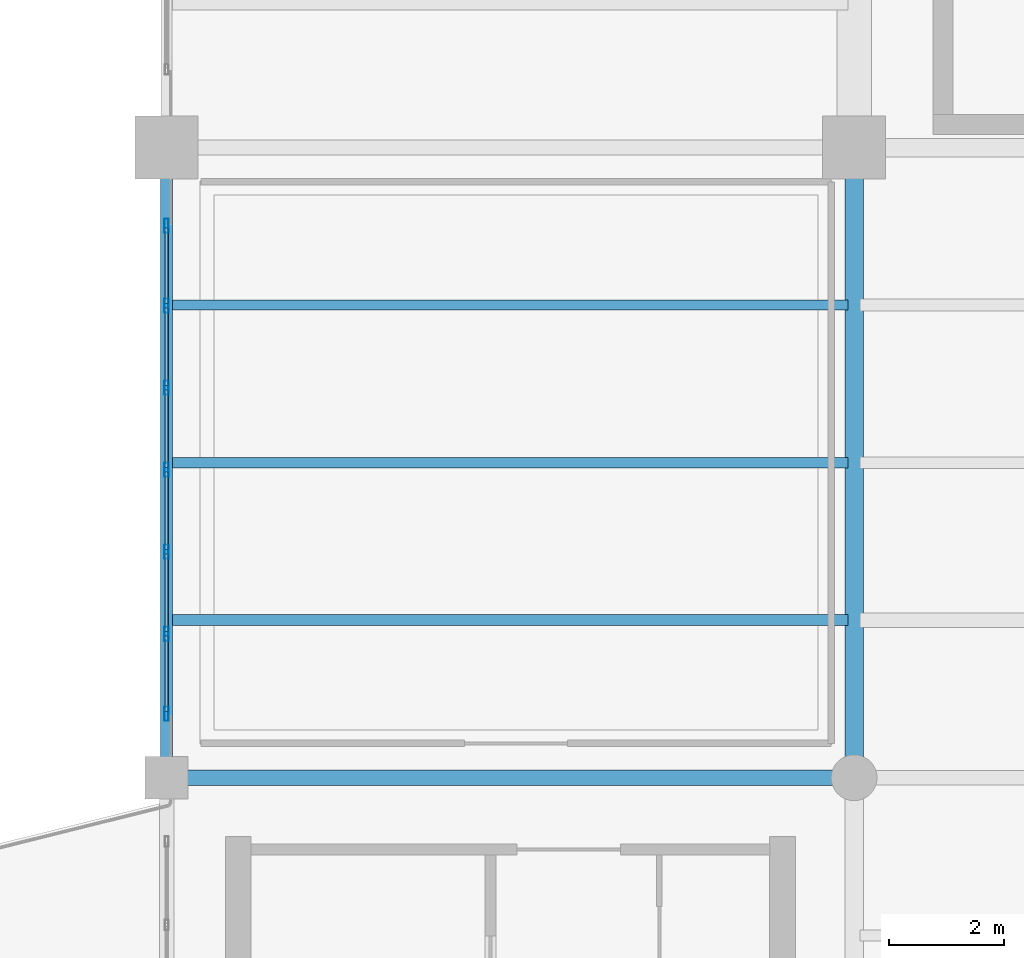
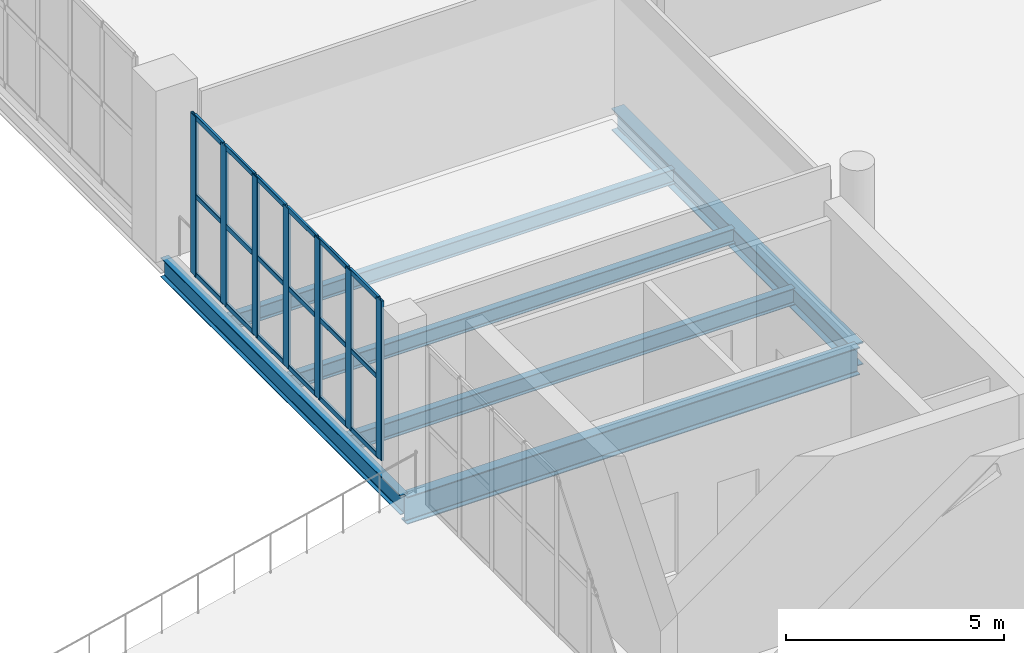
# One storey, part 49 of 136: 25 members, 6 beams, 1 element without a shape of its own.
"""IFC4 building model written with IfcOpenShell, lengths in metres."""

from ifc_helpers import new_model, si_unit, direction, frame, origin, origin_2d, place, context, subcontext, project, spatial, hollow_rectangle, i_section, extrude, material, layer, layer_set, material_profile, profile_set, type_object, element, aggregate, save


model = new_model("IFC4")

# Units and contexts
model_context = context("Model", 3, precision=1e-05, world=origin(), true_north=direction((0.0, 1.0)))
body_context = subcontext(model_context, "Body", "Model", "MODEL_VIEW")
ifc_project = project(units=[si_unit("LENGTHUNIT", "METRE"), si_unit("AREAUNIT", "SQUARE_METRE"), si_unit("VOLUMEUNIT", "CUBIC_METRE"), si_unit("PLANEANGLEUNIT", "RADIAN"), si_unit("MASSUNIT", "GRAM", prefix="KILO")], contexts=[model_context])

# Site, building, storey
site_placement = place(None, origin())
site = spatial("IfcSite", under=ifc_project, at=site_placement, CompositionType="ELEMENT")
building_placement = place(site_placement, origin())
building = spatial("IfcBuilding", under=site, at=building_placement, Name="Brinegate Civic Arena", CompositionType="ELEMENT")
storey_placement = place(building_placement, frame((0.0, 0.0, 5.39990234375)))
storey = spatial("IfcBuildingStorey", under=building, at=storey_placement, Name="L01", CompositionType="ELEMENT", Elevation=5.39990234375)

# Curtain wall, members
ifc_material_1 = material(Name="Marine grade aluminium", Category="aluminium")
ifc_layer = layer(ifc_material_1, 0.199951171875, Name="Marine grade aluminium")
ifc_layer_set = layer_set([ifc_layer], Name="Marine grade aluminium")
curtain_wall_type = type_object("IfcCurtainWallType", Name="CW-BOWL-GLAZED-01", PredefinedType="USERDEFINED", material=ifc_layer_set)
curtain_wall_placement = place(storey_placement, origin())
curtain_wall = element("IfcCurtainWall", 1, at=curtain_wall_placement, inside=storey, type_object=curtain_wall_type, Name="Curtain Wall CWA-060", ObjectType="GLAZED CURTAIN WALL", PredefinedType="USERDEFINED")
ifc_material_profile_1 = material_profile(ifc_material_1, hollow_rectangle(XDim=0.074951171875, YDim=0.25, WallThickness=0.006103515625, InnerFilletRadius=0.00390625, OuterFilletRadius=0.008056640625, at=origin_2d()), Name="MUL75X250")
ifc_profile_set_1 = profile_set([ifc_material_profile_1], Name="Marine grade aluminium")
member_type_1 = type_object("IfcMemberType", Name="CW-MULLION-75X250", PredefinedType="MULLION", material=ifc_profile_set_1)
member_1_placement = place(storey_placement, frame((48.0, 94.117431640625, 0.0), z_axis=(0.0, 0.0, 1.0), x_axis=(-1.0, 0.0, 0.0)))
member_1 = element("IfcMember", 2, at=member_1_placement, type_object=member_type_1, Name="CWA-060 mullion 1", PredefinedType="MULLION", context=body_context, shape_type="SweptSolid", body=[
    extrude(hollow_rectangle(XDim=0.074951171875, YDim=0.25, WallThickness=0.006103515625, InnerFilletRadius=0.00390625, OuterFilletRadius=0.008056640625, at=origin_2d()), origin(), (0.0, 0.0, 1.0), 4.47021484375),
])
member_2_placement = place(storey_placement, frame((48.0, 95.511962890625, 0.0), z_axis=(0.0, 0.0, 1.0), x_axis=(-1.0, 0.0, 0.0)))
member_2 = element("IfcMember", 3, at=member_2_placement, type_object=member_type_1, Name="CWA-060 mullion 2", PredefinedType="MULLION", context=body_context, shape_type="SweptSolid", body=[
    extrude(hollow_rectangle(XDim=0.074951171875, YDim=0.25, WallThickness=0.006103515625, InnerFilletRadius=0.00390625, OuterFilletRadius=0.008056640625, at=origin_2d()), origin(), (0.0, 0.0, 1.0), 4.47021484375),
])
member_3_placement = place(storey_placement, frame((48.0, 96.944091796875, 0.0), z_axis=(0.0, 0.0, 1.0), x_axis=(-1.0, 0.0, 0.0)))
member_3 = element("IfcMember", 4, at=member_3_placement, type_object=member_type_1, Name="CWA-060 mullion 3", PredefinedType="MULLION", context=body_context, shape_type="SweptSolid", body=[
    extrude(hollow_rectangle(XDim=0.074951171875, YDim=0.25, WallThickness=0.006103515625, InnerFilletRadius=0.00390625, OuterFilletRadius=0.008056640625, at=origin_2d()), origin(), (0.0, 0.0, 1.0), 4.47021484375),
])
member_4_placement = place(storey_placement, frame((48.0, 98.3759765625, 0.0), z_axis=(0.0, 0.0, 1.0), x_axis=(-1.0, 0.0, 0.0)))
member_4 = element("IfcMember", 5, at=member_4_placement, type_object=member_type_1, Name="CWA-060 mullion 4", PredefinedType="MULLION", context=body_context, shape_type="SweptSolid", body=[
    extrude(hollow_rectangle(XDim=0.074951171875, YDim=0.25, WallThickness=0.006103515625, InnerFilletRadius=0.00390625, OuterFilletRadius=0.008056640625, at=origin_2d()), origin(), (0.0, 0.0, 1.0), 4.47021484375),
])
member_5_placement = place(storey_placement, frame((48.0, 99.80810546875, 0.0), z_axis=(0.0, 0.0, 1.0), x_axis=(-1.0, 0.0, 0.0)))
member_5 = element("IfcMember", 6, at=member_5_placement, type_object=member_type_1, Name="CWA-060 mullion 5", PredefinedType="MULLION", context=body_context, shape_type="SweptSolid", body=[
    extrude(hollow_rectangle(XDim=0.074951171875, YDim=0.25, WallThickness=0.006103515625, InnerFilletRadius=0.00390625, OuterFilletRadius=0.008056640625, at=origin_2d()), origin(), (0.0, 0.0, 1.0), 4.47021484375),
])
member_6_placement = place(storey_placement, frame((48.0, 101.239990234375, 0.0), z_axis=(0.0, 0.0, 1.0), x_axis=(-1.0, 0.0, 0.0)))
member_6 = element("IfcMember", 7, at=member_6_placement, type_object=member_type_1, Name="CWA-060 mullion 6", PredefinedType="MULLION", context=body_context, shape_type="SweptSolid", body=[
    extrude(hollow_rectangle(XDim=0.074951171875, YDim=0.25, WallThickness=0.006103515625, InnerFilletRadius=0.00390625, OuterFilletRadius=0.008056640625, at=origin_2d()), origin(), (0.0, 0.0, 1.0), 4.47021484375),
])
member_7_placement = place(storey_placement, frame((48.0, 102.634521484375, 0.0), z_axis=(0.0, 0.0, 1.0), x_axis=(-1.0, 0.0, 0.0)))
member_7 = element("IfcMember", 8, at=member_7_placement, type_object=member_type_1, Name="CWA-060 mullion 7", PredefinedType="MULLION", context=body_context, shape_type="SweptSolid", body=[
    extrude(hollow_rectangle(XDim=0.074951171875, YDim=0.25, WallThickness=0.006103515625, InnerFilletRadius=0.00390625, OuterFilletRadius=0.008056640625, at=origin_2d()), origin(), (0.0, 0.0, 1.0), 4.47021484375),
])
ifc_material_profile_2 = material_profile(ifc_material_1, hollow_rectangle(XDim=0.06494140625, YDim=0.139892578125, WallThickness=0.0048828125, InnerFilletRadius=0.00390625, OuterFilletRadius=0.008056640625, at=origin_2d()), Name="TRN65X140")
ifc_profile_set_2 = profile_set([ifc_material_profile_2], Name="Marine grade aluminium")
member_type_2 = type_object("IfcMemberType", Name="CW-TRANSOM-65X140", PredefinedType="USERDEFINED", material=ifc_profile_set_2)
member_8_placement = place(storey_placement, frame((48.0, 94.155029296875, 0.03271484375), z_axis=(0.0, 1.0, 0.0), x_axis=(-1.0, 0.0, 0.0)))
member_8 = element("IfcMember", 9, at=member_8_placement, type_object=member_type_2, Name="CWA-060 transom 1.1", ObjectType="TRANSOM", PredefinedType="USERDEFINED", context=body_context, shape_type="SweptSolid", body=[
    extrude(hollow_rectangle(XDim=0.06494140625, YDim=0.139892578125, WallThickness=0.0048828125, InnerFilletRadius=0.00390625, OuterFilletRadius=0.008056640625, at=origin_2d()), origin(), (0.0, 0.0, 1.0), 1.319580078125),
])
member_9_placement = place(storey_placement, frame((48.0, 94.155029296875, 2.235107421875), z_axis=(0.0, 1.0, 0.0), x_axis=(-1.0, 0.0, 0.0)))
member_9 = element("IfcMember", 10, at=member_9_placement, type_object=member_type_2, Name="CWA-060 transom 1.2", ObjectType="TRANSOM", PredefinedType="USERDEFINED", context=body_context, shape_type="SweptSolid", body=[
    extrude(hollow_rectangle(XDim=0.06494140625, YDim=0.139892578125, WallThickness=0.0048828125, InnerFilletRadius=0.00390625, OuterFilletRadius=0.008056640625, at=origin_2d()), origin(), (0.0, 0.0, 1.0), 1.319580078125),
])
member_10_placement = place(storey_placement, frame((48.0, 94.155029296875, 4.4375), z_axis=(0.0, 1.0, 0.0), x_axis=(-1.0, 0.0, 0.0)))
member_10 = element("IfcMember", 11, at=member_10_placement, type_object=member_type_2, Name="CWA-060 transom 1.3", ObjectType="TRANSOM", PredefinedType="USERDEFINED", context=body_context, shape_type="SweptSolid", body=[
    extrude(hollow_rectangle(XDim=0.06494140625, YDim=0.139892578125, WallThickness=0.0048828125, InnerFilletRadius=0.00390625, OuterFilletRadius=0.008056640625, at=origin_2d()), origin(), (0.0, 0.0, 1.0), 1.319580078125),
])
member_11_placement = place(storey_placement, frame((48.0, 95.549560546875, 0.03271484375), z_axis=(0.0, 1.0, 0.0), x_axis=(-1.0, 0.0, 0.0)))
member_11 = element("IfcMember", 12, at=member_11_placement, type_object=member_type_2, Name="CWA-060 transom 2.1", ObjectType="TRANSOM", PredefinedType="USERDEFINED", context=body_context, shape_type="SweptSolid", body=[
    extrude(hollow_rectangle(XDim=0.06494140625, YDim=0.139892578125, WallThickness=0.0048828125, InnerFilletRadius=0.00390625, OuterFilletRadius=0.008056640625, at=origin_2d()), origin(), (0.0, 0.0, 1.0), 1.35693359375),
])
member_12_placement = place(storey_placement, frame((48.0, 95.549560546875, 2.235107421875), z_axis=(0.0, 1.0, 0.0), x_axis=(-1.0, 0.0, 0.0)))
member_12 = element("IfcMember", 13, at=member_12_placement, type_object=member_type_2, Name="CWA-060 transom 2.2", ObjectType="TRANSOM", PredefinedType="USERDEFINED", context=body_context, shape_type="SweptSolid", body=[
    extrude(hollow_rectangle(XDim=0.06494140625, YDim=0.139892578125, WallThickness=0.0048828125, InnerFilletRadius=0.00390625, OuterFilletRadius=0.008056640625, at=origin_2d()), origin(), (0.0, 0.0, 1.0), 1.35693359375),
])
member_13_placement = place(storey_placement, frame((48.0, 95.549560546875, 4.4375), z_axis=(0.0, 1.0, 0.0), x_axis=(-1.0, 0.0, 0.0)))
member_13 = element("IfcMember", 14, at=member_13_placement, type_object=member_type_2, Name="CWA-060 transom 2.3", ObjectType="TRANSOM", PredefinedType="USERDEFINED", context=body_context, shape_type="SweptSolid", body=[
    extrude(hollow_rectangle(XDim=0.06494140625, YDim=0.139892578125, WallThickness=0.0048828125, InnerFilletRadius=0.00390625, OuterFilletRadius=0.008056640625, at=origin_2d()), origin(), (0.0, 0.0, 1.0), 1.35693359375),
])
member_14_placement = place(storey_placement, frame((48.0, 96.9814453125, 0.03271484375), z_axis=(0.0, 1.0, 0.0), x_axis=(-1.0, 0.0, 0.0)))
member_14 = element("IfcMember", 15, at=member_14_placement, type_object=member_type_2, Name="CWA-060 transom 3.1", ObjectType="TRANSOM", PredefinedType="USERDEFINED", context=body_context, shape_type="SweptSolid", body=[
    extrude(hollow_rectangle(XDim=0.06494140625, YDim=0.139892578125, WallThickness=0.0048828125, InnerFilletRadius=0.00390625, OuterFilletRadius=0.008056640625, at=origin_2d()), origin(), (0.0, 0.0, 1.0), 1.35693359375),
])
member_15_placement = place(storey_placement, frame((48.0, 96.9814453125, 2.235107421875), z_axis=(0.0, 1.0, 0.0), x_axis=(-1.0, 0.0, 0.0)))
member_15 = element("IfcMember", 16, at=member_15_placement, type_object=member_type_2, Name="CWA-060 transom 3.2", ObjectType="TRANSOM", PredefinedType="USERDEFINED", context=body_context, shape_type="SweptSolid", body=[
    extrude(hollow_rectangle(XDim=0.06494140625, YDim=0.139892578125, WallThickness=0.0048828125, InnerFilletRadius=0.00390625, OuterFilletRadius=0.008056640625, at=origin_2d()), origin(), (0.0, 0.0, 1.0), 1.35693359375),
])
member_16_placement = place(storey_placement, frame((48.0, 96.9814453125, 4.4375), z_axis=(0.0, 1.0, 0.0), x_axis=(-1.0, 0.0, 0.0)))
member_16 = element("IfcMember", 17, at=member_16_placement, type_object=member_type_2, Name="CWA-060 transom 3.3", ObjectType="TRANSOM", PredefinedType="USERDEFINED", context=body_context, shape_type="SweptSolid", body=[
    extrude(hollow_rectangle(XDim=0.06494140625, YDim=0.139892578125, WallThickness=0.0048828125, InnerFilletRadius=0.00390625, OuterFilletRadius=0.008056640625, at=origin_2d()), origin(), (0.0, 0.0, 1.0), 1.35693359375),
])
member_17_placement = place(storey_placement, frame((48.0, 98.41357421875, 0.03271484375), z_axis=(0.0, 1.0, 0.0), x_axis=(-1.0, 0.0, 0.0)))
member_17 = element("IfcMember", 18, at=member_17_placement, type_object=member_type_2, Name="CWA-060 transom 4.1", ObjectType="TRANSOM", PredefinedType="USERDEFINED", context=body_context, shape_type="SweptSolid", body=[
    extrude(hollow_rectangle(XDim=0.06494140625, YDim=0.139892578125, WallThickness=0.0048828125, InnerFilletRadius=0.00390625, OuterFilletRadius=0.008056640625, at=origin_2d()), origin(), (0.0, 0.0, 1.0), 1.35693359375),
])
member_18_placement = place(storey_placement, frame((48.0, 98.41357421875, 2.235107421875), z_axis=(0.0, 1.0, 0.0), x_axis=(-1.0, 0.0, 0.0)))
member_18 = element("IfcMember", 19, at=member_18_placement, type_object=member_type_2, Name="CWA-060 transom 4.2", ObjectType="TRANSOM", PredefinedType="USERDEFINED", context=body_context, shape_type="SweptSolid", body=[
    extrude(hollow_rectangle(XDim=0.06494140625, YDim=0.139892578125, WallThickness=0.0048828125, InnerFilletRadius=0.00390625, OuterFilletRadius=0.008056640625, at=origin_2d()), origin(), (0.0, 0.0, 1.0), 1.35693359375),
])
member_19_placement = place(storey_placement, frame((48.0, 98.41357421875, 4.4375), z_axis=(0.0, 1.0, 0.0), x_axis=(-1.0, 0.0, 0.0)))
member_19 = element("IfcMember", 20, at=member_19_placement, type_object=member_type_2, Name="CWA-060 transom 4.3", ObjectType="TRANSOM", PredefinedType="USERDEFINED", context=body_context, shape_type="SweptSolid", body=[
    extrude(hollow_rectangle(XDim=0.06494140625, YDim=0.139892578125, WallThickness=0.0048828125, InnerFilletRadius=0.00390625, OuterFilletRadius=0.008056640625, at=origin_2d()), origin(), (0.0, 0.0, 1.0), 1.35693359375),
])
member_20_placement = place(storey_placement, frame((48.0, 99.845458984375, 0.03271484375), z_axis=(0.0, 1.0, 0.0), x_axis=(-1.0, 0.0, 0.0)))
member_20 = element("IfcMember", 21, at=member_20_placement, type_object=member_type_2, Name="CWA-060 transom 5.1", ObjectType="TRANSOM", PredefinedType="USERDEFINED", context=body_context, shape_type="SweptSolid", body=[
    extrude(hollow_rectangle(XDim=0.06494140625, YDim=0.139892578125, WallThickness=0.0048828125, InnerFilletRadius=0.00390625, OuterFilletRadius=0.008056640625, at=origin_2d()), origin(), (0.0, 0.0, 1.0), 1.35693359375),
])
member_21_placement = place(storey_placement, frame((48.0, 99.845458984375, 2.235107421875), z_axis=(0.0, 1.0, 0.0), x_axis=(-1.0, 0.0, 0.0)))
member_21 = element("IfcMember", 22, at=member_21_placement, type_object=member_type_2, Name="CWA-060 transom 5.2", ObjectType="TRANSOM", PredefinedType="USERDEFINED", context=body_context, shape_type="SweptSolid", body=[
    extrude(hollow_rectangle(XDim=0.06494140625, YDim=0.139892578125, WallThickness=0.0048828125, InnerFilletRadius=0.00390625, OuterFilletRadius=0.008056640625, at=origin_2d()), origin(), (0.0, 0.0, 1.0), 1.35693359375),
])
member_22_placement = place(storey_placement, frame((48.0, 99.845458984375, 4.4375), z_axis=(0.0, 1.0, 0.0), x_axis=(-1.0, 0.0, 0.0)))
member_22 = element("IfcMember", 23, at=member_22_placement, type_object=member_type_2, Name="CWA-060 transom 5.3", ObjectType="TRANSOM", PredefinedType="USERDEFINED", context=body_context, shape_type="SweptSolid", body=[
    extrude(hollow_rectangle(XDim=0.06494140625, YDim=0.139892578125, WallThickness=0.0048828125, InnerFilletRadius=0.00390625, OuterFilletRadius=0.008056640625, at=origin_2d()), origin(), (0.0, 0.0, 1.0), 1.35693359375),
])
member_23_placement = place(storey_placement, frame((48.0, 101.277587890625, 0.03271484375), z_axis=(0.0, 1.0, 0.0), x_axis=(-1.0, 0.0, 0.0)))
member_23 = element("IfcMember", 24, at=member_23_placement, type_object=member_type_2, Name="CWA-060 transom 6.1", ObjectType="TRANSOM", PredefinedType="USERDEFINED", context=body_context, shape_type="SweptSolid", body=[
    extrude(hollow_rectangle(XDim=0.06494140625, YDim=0.139892578125, WallThickness=0.0048828125, InnerFilletRadius=0.00390625, OuterFilletRadius=0.008056640625, at=origin_2d()), origin(), (0.0, 0.0, 1.0), 1.3193359375),
])
member_24_placement = place(storey_placement, frame((48.0, 101.277587890625, 2.235107421875), z_axis=(0.0, 1.0, 0.0), x_axis=(-1.0, 0.0, 0.0)))
member_24 = element("IfcMember", 25, at=member_24_placement, type_object=member_type_2, Name="CWA-060 transom 6.2", ObjectType="TRANSOM", PredefinedType="USERDEFINED", context=body_context, shape_type="SweptSolid", body=[
    extrude(hollow_rectangle(XDim=0.06494140625, YDim=0.139892578125, WallThickness=0.0048828125, InnerFilletRadius=0.00390625, OuterFilletRadius=0.008056640625, at=origin_2d()), origin(), (0.0, 0.0, 1.0), 1.3193359375),
])
member_25_placement = place(storey_placement, frame((48.0, 101.277587890625, 4.4375), z_axis=(0.0, 1.0, 0.0), x_axis=(-1.0, 0.0, 0.0)))
member_25 = element("IfcMember", 26, at=member_25_placement, type_object=member_type_2, Name="CWA-060 transom 6.3", ObjectType="TRANSOM", PredefinedType="USERDEFINED", context=body_context, shape_type="SweptSolid", body=[
    extrude(hollow_rectangle(XDim=0.06494140625, YDim=0.139892578125, WallThickness=0.0048828125, InnerFilletRadius=0.00390625, OuterFilletRadius=0.008056640625, at=origin_2d()), origin(), (0.0, 0.0, 1.0), 1.3193359375),
])
aggregate(curtain_wall, [member_1, member_2, member_3, member_4, member_5, member_6, member_7, member_8, member_9, member_10, member_11, member_12, member_13, member_14, member_15, member_16, member_17, member_18, member_19, member_20, member_21, member_22, member_23, member_24, member_25])

# Beams
ifc_material_2 = material(Name="Steel S355", Category="steel")
ifc_material_profile_3 = material_profile(ifc_material_2, i_section(OverallWidth=0.324951171875, OverallDepth=0.615966796875, WebThickness=0.013916015625, FlangeThickness=0.02197265625, FilletRadius=0.01611328125, at=origin_2d()), Name="W610X174")
ifc_profile_set_3 = profile_set([ifc_material_profile_3], Name="Steel S355")
beam_type_1 = type_object("IfcBeamType", Name="GIRDER-W610X174", PredefinedType="BEAM", material=ifc_profile_set_3)
beam_1_placement = place(storey_placement, frame((60.0, 93.0, -0.64794921875), z_axis=(0.0, 1.0, 0.0), x_axis=(-1.0, 0.0, 0.0)))
element("IfcBeam", 27, at=beam_1_placement, inside=storey, type_object=beam_type_1, Name="Floor Girder BM-L01-GY-05-09", PredefinedType="BEAM", context=body_context, shape_type="SweptSolid", body=[
    extrude(i_section(OverallWidth=0.324951171875, OverallDepth=0.615966796875, WebThickness=0.013916015625, FlangeThickness=0.02197265625, FilletRadius=0.01611328125, at=origin_2d()), origin(), (0.0, 0.0, 1.0), 11.0),
])
ifc_material_profile_4 = material_profile(ifc_material_2, i_section(OverallWidth=0.26806640625, OverallDepth=0.77001953125, WebThickness=0.01611328125, FlangeThickness=0.02490234375, FilletRadius=0.02001953125, at=origin_2d()), Name="W760X196")
ifc_profile_set_4 = profile_set([ifc_material_profile_4], Name="Steel S355")
beam_type_2 = type_object("IfcBeamType", Name="GIRDER-W760X196", PredefinedType="BEAM", material=ifc_profile_set_4)
beam_2_placement = place(storey_placement, frame((48.0, 93.0, -0.724853515625), z_axis=(1.0, 0.0, 0.0), x_axis=(0.0, 1.0, 0.0)))
element("IfcBeam", 28, at=beam_2_placement, inside=storey, type_object=beam_type_2, Name="Floor Girder BM-L01-GX-04-09", PredefinedType="BEAM", context=body_context, shape_type="SweptSolid", body=[
    extrude(i_section(OverallWidth=0.26806640625, OverallDepth=0.77001953125, WebThickness=0.01611328125, FlangeThickness=0.02490234375, FilletRadius=0.02001953125, at=origin_2d()), origin(), (0.0, 0.0, 1.0), 12.0),
])
ifc_material_profile_5 = material_profile(ifc_material_2, i_section(OverallWidth=0.178955078125, OverallDepth=0.409912109375, WebThickness=0.009033203125, FlangeThickness=0.013916015625, FilletRadius=0.013916015625, at=origin_2d()), Name="W410X67")
ifc_profile_set_5 = profile_set([ifc_material_profile_5], Name="Steel S355")
beam_type_3 = type_object("IfcBeamType", Name="JOIST-W410X67", PredefinedType="JOIST", material=ifc_profile_set_5)
beam_3_placement = place(storey_placement, frame((48.10595703125, 101.25, -0.544921875), z_axis=(1.0, 0.0, 0.0), x_axis=(0.0, 1.0, 0.0)))
element("IfcBeam", 29, at=beam_3_placement, inside=storey, type_object=beam_type_3, Name="Secondary Joist BM-L01-JX-04-09-3", PredefinedType="JOIST", context=body_context, shape_type="SweptSolid", body=[
    extrude(i_section(OverallWidth=0.178955078125, OverallDepth=0.409912109375, WebThickness=0.009033203125, FlangeThickness=0.013916015625, FilletRadius=0.013916015625, at=origin_2d()), origin(), (0.0, 0.0, 1.0), 11.7880859375),
])
ifc_material_profile_6 = material_profile(ifc_material_2, i_section(OverallWidth=0.180908203125, OverallDepth=0.4169921875, WebThickness=0.010986328125, FlangeThickness=0.01806640625, FilletRadius=0.013916015625, at=origin_2d()), Name="W410X85")
ifc_profile_set_6 = profile_set([ifc_material_profile_6], Name="Steel S355")
beam_type_4 = type_object("IfcBeamType", Name="JOIST-W410X85", PredefinedType="JOIST", material=ifc_profile_set_6)
beam_4_placement = place(storey_placement, frame((48.10595703125, 98.5, -0.5478515625), z_axis=(1.0, 0.0, 0.0), x_axis=(0.0, 1.0, 0.0)))
element("IfcBeam", 30, at=beam_4_placement, inside=storey, type_object=beam_type_4, Name="Secondary Joist BM-L01-JX-04-09-2", PredefinedType="JOIST", context=body_context, shape_type="SweptSolid", body=[
    extrude(i_section(OverallWidth=0.180908203125, OverallDepth=0.4169921875, WebThickness=0.010986328125, FlangeThickness=0.01806640625, FilletRadius=0.013916015625, at=origin_2d()), origin(), (0.0, 0.0, 1.0), 11.7880859375),
])
ifc_material_profile_7 = material_profile(ifc_material_2, i_section(OverallWidth=0.19091796875, OverallDepth=0.4599609375, WebThickness=0.010009765625, FlangeThickness=0.01611328125, FilletRadius=0.014892578125, at=origin_2d()), Name="W460X82")
ifc_profile_set_7 = profile_set([ifc_material_profile_7], Name="Steel S355")
beam_type_5 = type_object("IfcBeamType", Name="JOIST-W460X82", PredefinedType="JOIST", material=ifc_profile_set_7)
beam_5_placement = place(storey_placement, frame((48.10595703125, 95.75, -0.56982421875), z_axis=(1.0, 0.0, 0.0), x_axis=(0.0, 1.0, 0.0)))
element("IfcBeam", 31, at=beam_5_placement, inside=storey, type_object=beam_type_5, Name="Secondary Joist BM-L01-JX-04-09-1", PredefinedType="JOIST", context=body_context, shape_type="SweptSolid", body=[
    extrude(i_section(OverallWidth=0.19091796875, OverallDepth=0.4599609375, WebThickness=0.010009765625, FlangeThickness=0.01611328125, FilletRadius=0.014892578125, at=origin_2d()), origin(), (0.0, 0.0, 1.0), 11.7880859375),
])
ifc_material_profile_8 = material_profile(ifc_material_2, i_section(OverallWidth=0.2119140625, OverallDepth=0.5439453125, WebThickness=0.012939453125, FlangeThickness=0.02099609375, FilletRadius=0.01611328125, at=origin_2d()), Name="W530X123")
ifc_profile_set_8 = profile_set([ifc_material_profile_8], Name="Steel S355")
beam_type_6 = type_object("IfcBeamType", Name="SPANDREL-W530X123", PredefinedType="SPANDREL", material=ifc_profile_set_8)
beam_6_placement = place(storey_placement, frame((48.0, 93.0, -0.61181640625), z_axis=(0.0, 1.0, 0.0), x_axis=(-1.0, 0.0, 0.0)))
element("IfcBeam", 32, at=beam_6_placement, inside=storey, type_object=beam_type_6, Name="Floor Girder BM-L01-GY-04-09", PredefinedType="SPANDREL", context=body_context, shape_type="SweptSolid", body=[
    extrude(i_section(OverallWidth=0.2119140625, OverallDepth=0.5439453125, WebThickness=0.012939453125, FlangeThickness=0.02099609375, FilletRadius=0.01611328125, at=origin_2d()), origin(), (0.0, 0.0, 1.0), 11.0),
])

save(model, "model.ifc")
